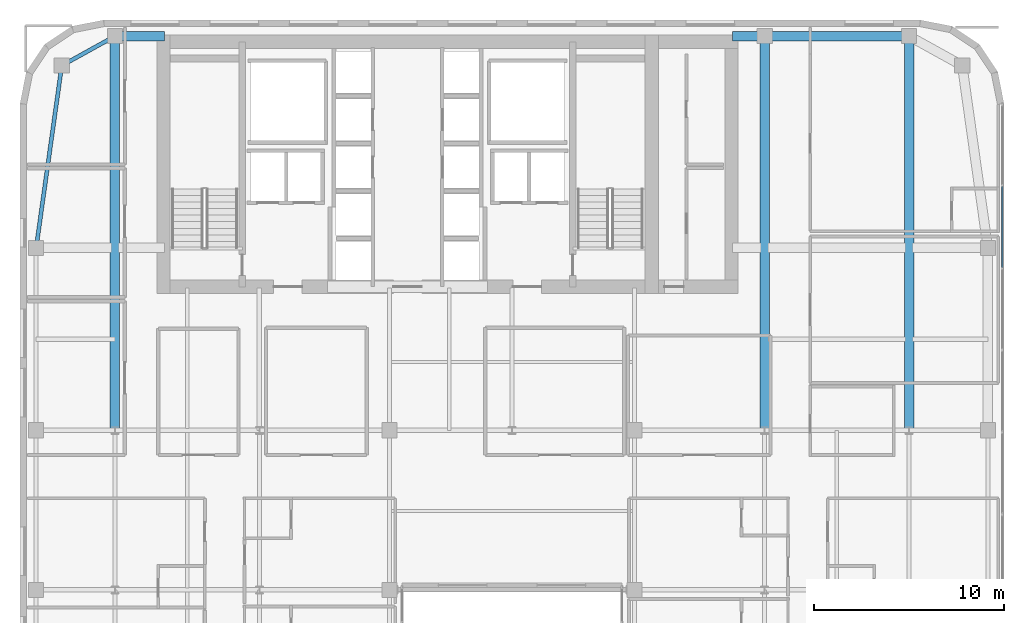
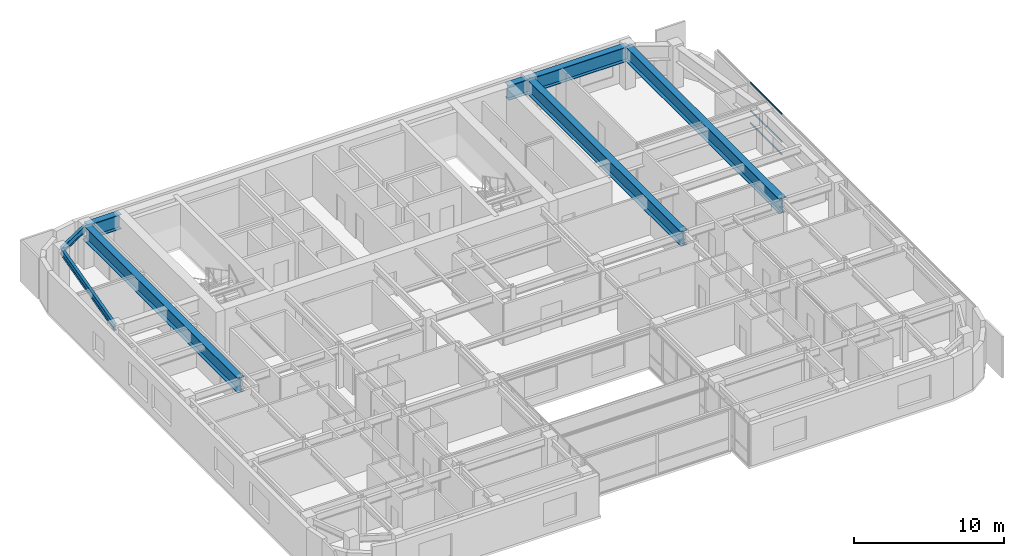
# One storey, part 9 of 20: 8 beams, 3 members, 1 element without a shape of its own.
"""IFC4 building model written with IfcOpenShell, lengths in metres."""

from ifc_helpers import new_model, si_unit, direction, frame, origin, origin_2d, place, context, subcontext, project, spatial, hollow_rectangle, i_section, extrude, source, transform, mapped, material, layer, layer_set, material_profile, profile_set, type_object, type_shapes, element, aggregate, save


model = new_model("IFC4")

# Units and contexts
model_context = context("Model", 3, precision=1e-05, world=origin(), true_north=direction((0.0, 1.0)))
body_context = subcontext(model_context, "Body", "Model", "MODEL_VIEW")
ifc_project = project(units=[si_unit("LENGTHUNIT", "METRE"), si_unit("AREAUNIT", "SQUARE_METRE"), si_unit("VOLUMEUNIT", "CUBIC_METRE"), si_unit("PLANEANGLEUNIT", "RADIAN"), si_unit("MASSUNIT", "GRAM", prefix="KILO")], contexts=[model_context])

# Site, building, storey
site_placement = place(None, origin())
site = spatial("IfcSite", under=ifc_project, at=site_placement, CompositionType="ELEMENT")
building_placement = place(site_placement, origin())
building = spatial("IfcBuilding", under=site, at=building_placement, Name="Tolvann Quenvar Hotel", CompositionType="ELEMENT")
storey_placement = place(building_placement, frame((0.0, 0.0, 171.89990234375)))
storey = spatial("IfcBuildingStorey", under=building, at=storey_placement, Name="L45", CompositionType="ELEMENT", Elevation=171.89990234375)

# Beams
ifc_material_1 = material(Name="Steel Grade 350", Category="steel")
ifc_material_profile_1 = material_profile(ifc_material_1, i_section(OverallWidth=0.5, OverallDepth=1.199951171875, WebThickness=0.01611328125, FlangeThickness=0.0400390625, at=origin_2d()), Name="1200WB455")
ifc_profile_set_1 = profile_set([ifc_material_profile_1], Name="Steel Grade 350")
beam_type_1 = type_object("IfcBeamType", Name="BM_TG_1200WB455", PredefinedType="USERDEFINED", material=ifc_profile_set_1)
shared_shape_1 = source(origin(), body_context, "Body", "SweptSolid", [
    extrude(i_section(OverallWidth=0.5, OverallDepth=1.199951171875, WebThickness=0.01611328125, FlangeThickness=0.0400390625, at=origin_2d()), origin(), (0.0, 0.0, 1.0), 7.599853515625),
])
beam_1_placement = place(storey_placement, frame((49.39990234375, 45.14990234375, 2.77001953125), z_axis=(-1.0, 0.0, 0.0), x_axis=(0.0, -1.0, 0.0)))
element("IfcBeam", 1, at=beam_1_placement, inside=storey, type_object=beam_type_1, Name="BM-L45-FLK-E4", ObjectType="TRANSFER GIRDER", PredefinedType="USERDEFINED", context=body_context, shape_type="MappedRepresentation", body=[
    mapped(shared_shape_1, transform((0.0, 0.0, 0.0), x_axis=(1.0, 0.0, 0.0), y_axis=(0.0, 1.0, 0.0), z_axis=(0.0, 0.0, 1.0), scale=1.0)),
])
shared_shape_2 = source(origin(), body_context, "Body", "SweptSolid", [
    extrude(i_section(OverallWidth=0.5, OverallDepth=1.199951171875, WebThickness=0.01611328125, FlangeThickness=0.0400390625, at=origin_2d()), origin(), (0.0, 0.0, 1.0), 20.75),
])
for number, where, z_axis, x_axis, name in (
    (2, (7.60009765625, 24.39990234375, 2.77001953125), (0.0, 1.0, 0.0), (-1.0, 0.0, 0.0), "BM-L45-FLK-WC"),
    (3, (41.800048828125, 24.39990234375, 2.77001953125), (0.0, 1.0, 0.0), (-1.0, 0.0, 0.0), "BM-L45-FLK-EH"),
    (4, (49.39990234375, 24.39990234375, 2.77001953125), (0.0, 1.0, 0.0), (-1.0, 0.0, 0.0), "BM-L45-FLK-EI"),
):
    element("IfcBeam", number, at=place(storey_placement, frame(where, z_axis=z_axis, x_axis=x_axis)), inside=storey, type_object=beam_type_1, Name=name, ObjectType="TRANSFER GIRDER", PredefinedType="USERDEFINED", context=body_context, shape_type="MappedRepresentation", body=[
        mapped(shared_shape_2, transform((0.0, 0.0, 0.0), x_axis=(1.0, 0.0, 0.0), y_axis=(0.0, 1.0, 0.0), z_axis=(0.0, 0.0, 1.0), scale=1.0)),
    ])
shared_shape_3 = source(origin(), body_context, "Body", "SweptSolid", [
    extrude(i_section(OverallWidth=0.5, OverallDepth=1.199951171875, WebThickness=0.01611328125, FlangeThickness=0.0400390625, at=origin_2d()), origin(), (0.0, 0.0, 1.0), 2.599853515625),
])
beam_2_placement = place(storey_placement, frame((7.60009765625, 45.14990234375, 2.77001953125), z_axis=(1.0, 0.0, 0.0), x_axis=(0.0, 1.0, 0.0)))
element("IfcBeam", 5, at=beam_2_placement, inside=storey, type_object=beam_type_1, Name="BM-L45-CTW-CN", ObjectType="TRANSFER GIRDER", PredefinedType="USERDEFINED", context=body_context, shape_type="MappedRepresentation", body=[
    mapped(shared_shape_3, transform((0.0, 0.0, 0.0), x_axis=(1.0, 0.0, 0.0), y_axis=(0.0, 1.0, 0.0), z_axis=(0.0, 0.0, 1.0), scale=1.0)),
])
shared_shape_4 = source(origin(), body_context, "Body", "SweptSolid", [
    extrude(i_section(OverallWidth=0.5, OverallDepth=1.199951171875, WebThickness=0.01611328125, FlangeThickness=0.0400390625, at=origin_2d()), origin(), (0.0, 0.0, 1.0), 1.699951171875),
])
type_shapes(beam_type_1, [shared_shape_1, shared_shape_2, shared_shape_3, shared_shape_4])
beam_3_placement = place(storey_placement, frame((40.10009765625, 45.14990234375, 2.77001953125), z_axis=(1.0, 0.0, 0.0), x_axis=(0.0, 1.0, 0.0)))
element("IfcBeam", 6, at=beam_3_placement, inside=storey, type_object=beam_type_1, Name="BM-L45-CTE-HN", ObjectType="TRANSFER GIRDER", PredefinedType="USERDEFINED", context=body_context, shape_type="MappedRepresentation", body=[
    mapped(shared_shape_4, transform((0.0, 0.0, 0.0), x_axis=(1.0, 0.0, 0.0), y_axis=(0.0, 1.0, 0.0), z_axis=(0.0, 0.0, 1.0), scale=1.0)),
])
ifc_material_profile_2 = material_profile(ifc_material_1, i_section(OverallWidth=0.208984375, OverallDepth=0.528076171875, WebThickness=0.009521484375, FlangeThickness=0.01318359375, FilletRadius=0.013916015625, at=origin_2d()), Name="530UB82")
ifc_profile_set_2 = profile_set([ifc_material_profile_2], Name="Steel Grade 350")
beam_type_2 = type_object("IfcBeamType", Name="BM_SPAND_530UB82", PredefinedType="SPANDREL", material=ifc_profile_set_2)
shared_shape_5 = source(origin(), body_context, "Body", "SweptSolid", [
    extrude(i_section(OverallWidth=0.208984375, OverallDepth=0.528076171875, WebThickness=0.009521484375, FlangeThickness=0.01318359375, FilletRadius=0.013916015625, at=origin_2d()), origin(), (0.0, 0.0, 1.0), 9.694580078125),
])
beam_4_placement = place(storey_placement, frame((3.449951171875, 34.0, 3.106201171875), z_axis=(0.139263320262, 0.990255385055, 0.0), x_axis=(-0.990255385055, 0.139263320262, 0.0)))
element("IfcBeam", 7, at=beam_4_placement, inside=storey, type_object=beam_type_2, Name="BM-L45-FLK-W2", PredefinedType="SPANDREL", context=body_context, shape_type="MappedRepresentation", body=[
    mapped(shared_shape_5, transform((0.0, 0.0, 0.0), x_axis=(1.0, 0.0, 0.0), y_axis=(0.0, 1.0, 0.0), z_axis=(0.0, 0.0, 1.0), scale=1.0)),
])
shared_shape_6 = source(origin(), body_context, "Body", "SweptSolid", [
    extrude(i_section(OverallWidth=0.208984375, OverallDepth=0.528076171875, WebThickness=0.009521484375, FlangeThickness=0.01318359375, FilletRadius=0.013916015625, at=origin_2d()), origin(), (0.0, 0.0, 1.0), 3.200439453125),
])
type_shapes(beam_type_2, [shared_shape_5, shared_shape_6])
beam_5_placement = place(storey_placement, frame((4.800048828125, 43.60009765625, 3.106201171875), z_axis=(0.87492264453, 0.48426270359, 0.0), x_axis=(-0.48426270359, 0.87492264453, 0.0)))
element("IfcBeam", 8, at=beam_5_placement, inside=storey, type_object=beam_type_2, Name="BM-L45-FLK-W3", PredefinedType="SPANDREL", context=body_context, shape_type="MappedRepresentation", body=[
    mapped(shared_shape_6, transform((0.0, 0.0, 0.0), x_axis=(1.0, 0.0, 0.0), y_axis=(0.0, 1.0, 0.0), z_axis=(0.0, 0.0, 1.0), scale=1.0)),
])

# Curtain wall, members
ifc_material_2 = material(Name="Thermally broken anodised architectural aluminium 6063-T6 and laminated low-E glass", Category="aluminium")
ifc_layer = layer(ifc_material_2, 0.179931640625)
ifc_layer_set = layer_set([ifc_layer], Name="Thermally broken anodised architectural aluminium 6063-T6 and laminated low-E glass")
curtain_wall_type = type_object("IfcCurtainWallType", Name="CW_SYS_BAND_04", PredefinedType="USERDEFINED", material=ifc_layer_set)
curtain_wall_placement = place(storey_placement, origin())
curtain_wall = element("IfcCurtainWall", 9, at=curtain_wall_placement, inside=storey, type_object=curtain_wall_type, Name="Curtain Wall CW-BAND-04 (CWR-L45-E13)", ObjectType="UNITISED CURTAIN WALL", PredefinedType="USERDEFINED")
ifc_material_3 = material(Name="Anodised architectural aluminium 6063-T6 framing", Category="aluminium")
ifc_material_profile_3 = material_profile(ifc_material_3, hollow_rectangle(XDim=0.06005859375, YDim=0.1201171875, WallThickness=0.00341796875, at=origin_2d()), Name="120x60x3.5RHS")
ifc_profile_set_3 = profile_set([ifc_material_profile_3], Name="Anodised architectural aluminium 6063-T6 framing")
member_type = type_object("IfcMemberType", Name="CW_TRAN_120x60", PredefinedType="USERDEFINED", material=ifc_profile_set_3)
shared_shape_7 = source(origin(), body_context, "Body", "SweptSolid", [
    extrude(hollow_rectangle(XDim=0.06005859375, YDim=0.1201171875, WallThickness=0.00341796875, at=origin_2d()), origin(), (0.0, 0.0, 1.0), 4.250732421875),
])
type_shapes(member_type, [shared_shape_7])
member_1_placement = place(storey_placement, frame((54.31005859375, 32.976318359375, 0.030029296875), z_axis=(0.0, 1.0, 0.0), x_axis=(-1.0, 0.0, 0.0)))
member_1 = element("IfcMember", 10, at=member_1_placement, type_object=member_type, Name="CW-BAND-04 transom 7.1", ObjectType="TRANSOM", PredefinedType="USERDEFINED", context=body_context, shape_type="MappedRepresentation", body=[
    mapped(shared_shape_7, transform((0.0, 0.0, 0.0), x_axis=(1.0, 0.0, 0.0), y_axis=(0.0, 1.0, 0.0), z_axis=(0.0, 0.0, 1.0), scale=1.0)),
])
member_2_placement = place(storey_placement, frame((54.31005859375, 32.976318359375, 1.050048828125), z_axis=(0.0, 1.0, 0.0), x_axis=(-1.0, 0.0, 0.0)))
member_2 = element("IfcMember", 11, at=member_2_placement, type_object=member_type, Name="CW-BAND-04 transom 7.2", ObjectType="TRANSOM", PredefinedType="USERDEFINED", context=body_context, shape_type="MappedRepresentation", body=[
    mapped(shared_shape_7, transform((0.0, 0.0, 0.0), x_axis=(1.0, 0.0, 0.0), y_axis=(0.0, 1.0, 0.0), z_axis=(0.0, 0.0, 1.0), scale=1.0)),
])
member_3_placement = place(storey_placement, frame((54.31005859375, 32.976318359375, 3.340087890625), z_axis=(0.0, 1.0, 0.0), x_axis=(-1.0, 0.0, 0.0)))
member_3 = element("IfcMember", 12, at=member_3_placement, type_object=member_type, Name="CW-BAND-04 transom 7.3", ObjectType="TRANSOM", PredefinedType="USERDEFINED", context=body_context, shape_type="MappedRepresentation", body=[
    mapped(shared_shape_7, transform((0.0, 0.0, 0.0), x_axis=(1.0, 0.0, 0.0), y_axis=(0.0, 1.0, 0.0), z_axis=(0.0, 0.0, 1.0), scale=1.0)),
])
aggregate(curtain_wall, [member_1, member_2, member_3])

save(model, "model.ifc")
